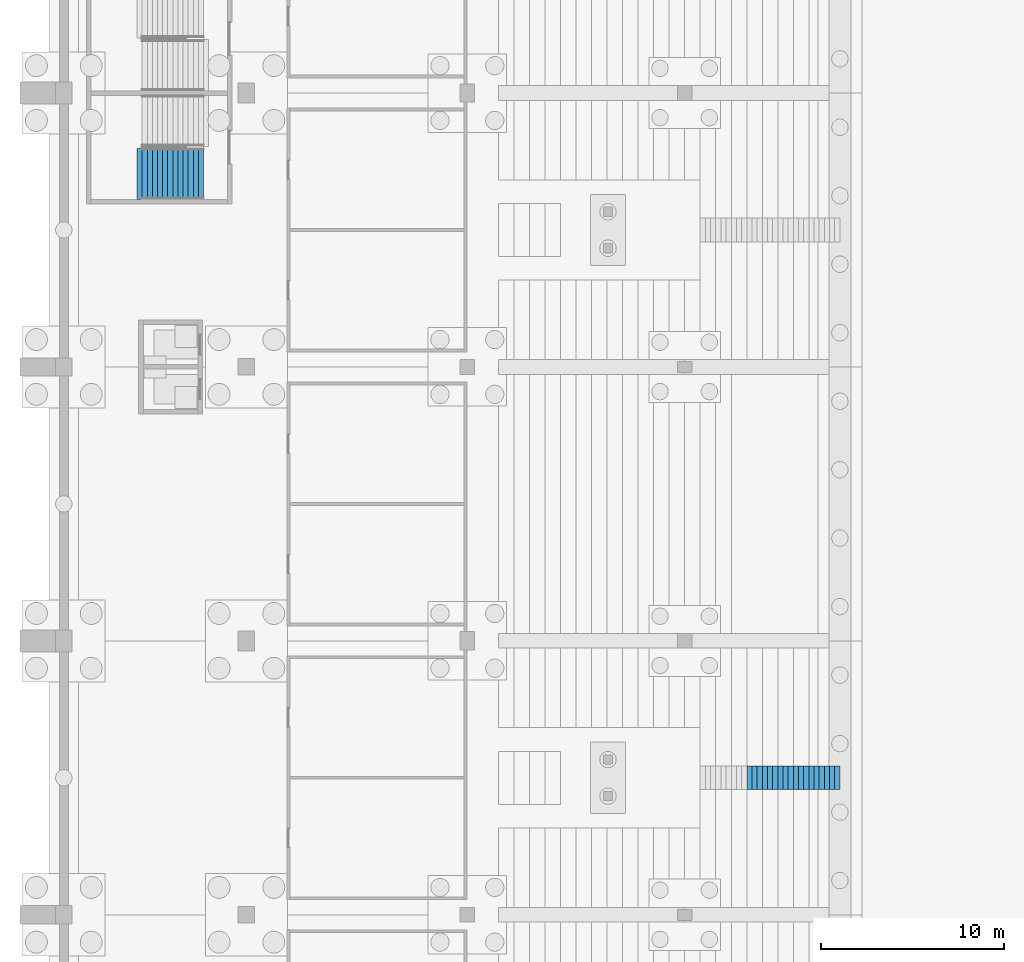
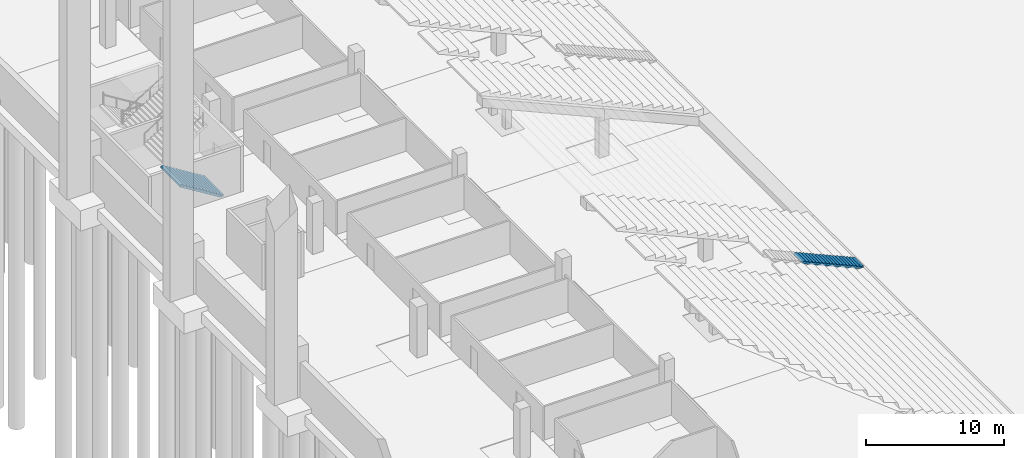
# One storey, part 76 of 115: 2 stair flights, 2 elements without a shape of their own.
"""IFC4 building model written with IfcOpenShell, lengths in metres."""

from ifc_helpers import new_model, si_unit, direction, frame, origin, place, context, subcontext, project, spatial, faceted_brep, material, type_object, element, aggregate, save


model = new_model("IFC4")

# Units and contexts
model_context = context("Model", 3, precision=1e-05, world=origin(), true_north=direction((0.0, 1.0)))
body_context = subcontext(model_context, "Body", "Model", "MODEL_VIEW")
ifc_project = project(units=[si_unit("LENGTHUNIT", "METRE"), si_unit("AREAUNIT", "SQUARE_METRE"), si_unit("VOLUMEUNIT", "CUBIC_METRE"), si_unit("PLANEANGLEUNIT", "RADIAN"), si_unit("MASSUNIT", "GRAM", prefix="KILO")], contexts=[model_context])

# Site, building, storey
site_placement = place(None, origin())
site = spatial("IfcSite", under=ifc_project, at=site_placement, CompositionType="ELEMENT")
building_placement = place(site_placement, origin())
building = spatial("IfcBuilding", under=site, at=building_placement, Name="Ogive Plaza Stadium", CompositionType="ELEMENT")
storey_placement = place(building_placement, frame((0.0, 0.0, -4.5)))
storey = spatial("IfcBuildingStorey", under=building, at=storey_placement, Name="B1", CompositionType="ELEMENT", Elevation=-4.5)

# Stair, stair flight
ifc_material_1 = material(Name="Concrete C40/50", Category="concrete")
stair_type_1 = type_object("IfcStairType", Name="Aisle stair", PredefinedType="STRAIGHT_RUN_STAIR", material=ifc_material_1)
stair_1_placement = place(storey_placement, origin())
stair_1 = element("IfcStair", 1, at=stair_1_placement, inside=storey, type_object=stair_type_1, Name="Aisle stair SA23D", PredefinedType="STRAIGHT_RUN_STAIR")
ifc_material_2 = material(Name="Concrete C40/50", Category="concrete")
stair_flight_type_1 = type_object("IfcStairFlightType", Name="Aisle stair flight", PredefinedType="STRAIGHT", material=ifc_material_2)
stair_flight_1_placement = place(storey_placement, frame((-41.5, -15.0, 1.125), z_axis=(0.0, 0.0, 1.0), x_axis=(-1.0, 0.0, 0.0)))
stair_flight_1 = element("IfcStairFlight", 2, at=stair_flight_1_placement, type_object=stair_flight_type_1, Name="SA23D flight 1", NumberOfRisers=18, NumberOfTreads=17, PredefinedType="STRAIGHT", RiserHeight=0.125, TreadLength=0.283333333, context=body_context, shape_type="Brep", body=[
    faceted_brep([(0.371337890625, -0.64990234375, 0.0), (5.10009765625, -0.64990234375, 2.086181640625), (5.10009765625, -0.64990234375, 2.25), (4.816650390625, -0.64990234375, 2.25), (4.816650390625, -0.64990234375, 2.125), (4.533447265625, -0.64990234375, 2.125), (4.533447265625, -0.64990234375, 2.0), (4.25, -0.64990234375, 2.0), (4.25, -0.64990234375, 1.875), (3.966552734375, -0.64990234375, 1.875), (3.966552734375, -0.64990234375, 1.75), (3.683349609375, -0.64990234375, 1.75), (3.683349609375, -0.64990234375, 1.625), (3.39990234375, -0.64990234375, 1.625), (3.39990234375, -0.64990234375, 1.5), (3.11669921875, -0.64990234375, 1.5), (3.11669921875, -0.64990234375, 1.375), (2.833251953125, -0.64990234375, 1.375), (2.833251953125, -0.64990234375, 1.25), (2.550048828125, -0.64990234375, 1.25), (2.550048828125, -0.64990234375, 1.125), (2.2666015625, -0.64990234375, 1.125), (2.2666015625, -0.64990234375, 1.0), (1.9833984375, -0.64990234375, 1.0), (1.9833984375, -0.64990234375, 0.875), (1.699951171875, -0.64990234375, 0.875), (1.699951171875, -0.64990234375, 0.75), (1.416748046875, -0.64990234375, 0.75), (1.416748046875, -0.64990234375, 0.625), (1.13330078125, -0.64990234375, 0.625), (1.13330078125, -0.64990234375, 0.5), (0.85009765625, -0.64990234375, 0.5), (0.85009765625, -0.64990234375, 0.375), (0.566650390625, -0.64990234375, 0.375), (0.566650390625, -0.64990234375, 0.25), (0.283447265625, -0.64990234375, 0.25), (0.283447265625, -0.64990234375, 0.125), (0.0, -0.64990234375, 0.125), (0.0, -0.64990234375, 0.0), (0.0, 0.64990234375, 0.0), (0.0, 0.64990234375, 0.125), (0.283447265625, 0.64990234375, 0.125), (0.283447265625, 0.64990234375, 0.25), (0.566650390625, 0.64990234375, 0.25), (0.566650390625, 0.64990234375, 0.375), (0.85009765625, 0.64990234375, 0.375), (0.85009765625, 0.64990234375, 0.5), (1.13330078125, 0.64990234375, 0.5), (1.13330078125, 0.64990234375, 0.625), (1.416748046875, 0.64990234375, 0.625), (1.416748046875, 0.64990234375, 0.75), (1.699951171875, 0.64990234375, 0.75), (1.699951171875, 0.64990234375, 0.875), (1.9833984375, 0.64990234375, 0.875), (1.9833984375, 0.64990234375, 1.0), (2.2666015625, 0.64990234375, 1.0), (2.2666015625, 0.64990234375, 1.125), (2.550048828125, 0.64990234375, 1.125), (2.550048828125, 0.64990234375, 1.25), (2.833251953125, 0.64990234375, 1.25), (2.833251953125, 0.64990234375, 1.375), (3.11669921875, 0.64990234375, 1.375), (3.11669921875, 0.64990234375, 1.5), (3.39990234375, 0.64990234375, 1.5), (3.39990234375, 0.64990234375, 1.625), (3.683349609375, 0.64990234375, 1.625), (3.683349609375, 0.64990234375, 1.75), (3.966552734375, 0.64990234375, 1.75), (3.966552734375, 0.64990234375, 1.875), (4.25, 0.64990234375, 1.875), (4.25, 0.64990234375, 2.0), (4.533447265625, 0.64990234375, 2.0), (4.533447265625, 0.64990234375, 2.125), (4.816650390625, 0.64990234375, 2.125), (4.816650390625, 0.64990234375, 2.25), (5.10009765625, 0.64990234375, 2.25), (5.10009765625, 0.64990234375, 2.086181640625), (0.371337890625, 0.64990234375, 0.0), (0.371337890625, -0.324951171875, 0.0), (5.10009765625, -0.324951171875, 2.086181640625), (0.371337890625, 0.0, 0.0), (5.10009765625, 0.0, 2.086181640625), (0.371337890625, 0.324951171875, 0.0), (5.10009765625, 0.324951171875, 2.086181640625), (5.10009765625, -0.324951171875, 2.25), (5.10009765625, 0.0, 2.25), (5.10009765625, 0.324951171875, 2.25), (4.816650390625, -0.324951171875, 2.25), (4.816650390625, 0.0, 2.25), (4.816650390625, 0.324951171875, 2.25), (4.816650390625, -0.324951171875, 2.125), (4.816650390625, 0.0, 2.125), (4.816650390625, 0.324951171875, 2.125), (4.533447265625, -0.324951171875, 2.125), (4.533447265625, 0.0, 2.125), (4.533447265625, 0.324951171875, 2.125), (4.533447265625, -0.324951171875, 2.0), (4.533447265625, 0.0, 2.0), (4.533447265625, 0.324951171875, 2.0), (4.25, -0.324951171875, 2.0), (4.25, 0.0, 2.0), (4.25, 0.324951171875, 2.0), (4.25, -0.324951171875, 1.875), (4.25, 0.0, 1.875), (4.25, 0.324951171875, 1.875), (3.966552734375, -0.324951171875, 1.875), (3.966552734375, 0.0, 1.875), (3.966552734375, 0.324951171875, 1.875), (3.966552734375, -0.324951171875, 1.75), (3.966552734375, 0.0, 1.75), (3.966552734375, 0.324951171875, 1.75), (3.683349609375, -0.324951171875, 1.75), (3.683349609375, 0.0, 1.75), (3.683349609375, 0.324951171875, 1.75), (3.683349609375, -0.324951171875, 1.625), (3.683349609375, 0.0, 1.625), (3.683349609375, 0.324951171875, 1.625), (3.39990234375, -0.324951171875, 1.625), (3.39990234375, 0.0, 1.625), (3.39990234375, 0.324951171875, 1.625), (3.39990234375, -0.324951171875, 1.5), (3.39990234375, 0.0, 1.5), (3.39990234375, 0.324951171875, 1.5), (3.11669921875, -0.324951171875, 1.5), (3.11669921875, 0.0, 1.5), (3.11669921875, 0.324951171875, 1.5), (3.11669921875, -0.324951171875, 1.375), (3.11669921875, 0.0, 1.375), (3.11669921875, 0.324951171875, 1.375), (2.833251953125, -0.324951171875, 1.375), (2.833251953125, 0.0, 1.375), (2.833251953125, 0.324951171875, 1.375), (2.833251953125, -0.324951171875, 1.25), (2.833251953125, 0.0, 1.25), (2.833251953125, 0.324951171875, 1.25), (2.550048828125, -0.324951171875, 1.25), (2.550048828125, 0.0, 1.25), (2.550048828125, 0.324951171875, 1.25), (2.550048828125, -0.324951171875, 1.125), (2.550048828125, 0.0, 1.125), (2.550048828125, 0.324951171875, 1.125), (2.2666015625, -0.324951171875, 1.125), (2.2666015625, 0.0, 1.125), (2.2666015625, 0.324951171875, 1.125), (2.2666015625, -0.324951171875, 1.0), (2.2666015625, 0.0, 1.0), (2.2666015625, 0.324951171875, 1.0), (1.9833984375, -0.324951171875, 1.0), (1.9833984375, 0.0, 1.0), (1.9833984375, 0.324951171875, 1.0), (1.9833984375, -0.324951171875, 0.875), (1.9833984375, 0.0, 0.875), (1.9833984375, 0.324951171875, 0.875), (1.699951171875, -0.324951171875, 0.875), (1.699951171875, 0.0, 0.875), (1.699951171875, 0.324951171875, 0.875), (1.699951171875, -0.324951171875, 0.75), (1.699951171875, 0.0, 0.75), (1.699951171875, 0.324951171875, 0.75), (1.416748046875, -0.324951171875, 0.75), (1.416748046875, 0.0, 0.75), (1.416748046875, 0.324951171875, 0.75), (1.416748046875, -0.324951171875, 0.625), (1.416748046875, 0.0, 0.625), (1.416748046875, 0.324951171875, 0.625), (1.13330078125, -0.324951171875, 0.625), (1.13330078125, 0.0, 0.625), (1.13330078125, 0.324951171875, 0.625), (1.13330078125, -0.324951171875, 0.5), (1.13330078125, 0.0, 0.5), (1.13330078125, 0.324951171875, 0.5), (0.85009765625, -0.324951171875, 0.5), (0.85009765625, 0.0, 0.5), (0.85009765625, 0.324951171875, 0.5), (0.85009765625, -0.324951171875, 0.375), (0.85009765625, 0.0, 0.375), (0.85009765625, 0.324951171875, 0.375), (0.566650390625, -0.324951171875, 0.375), (0.566650390625, 0.0, 0.375), (0.566650390625, 0.324951171875, 0.375), (0.566650390625, -0.324951171875, 0.25), (0.566650390625, 0.0, 0.25), (0.566650390625, 0.324951171875, 0.25), (0.283447265625, -0.324951171875, 0.25), (0.283447265625, 0.0, 0.25), (0.283447265625, 0.324951171875, 0.25), (0.283447265625, -0.324951171875, 0.125), (0.283447265625, 0.0, 0.125), (0.283447265625, 0.324951171875, 0.125), (0.0, -0.324951171875, 0.125), (0.0, 0.0, 0.125), (0.0, 0.324951171875, 0.125), (0.0, -0.324951171875, 0.0), (0.0, 0.0, 0.0), (0.0, 0.324951171875, 0.0)], [[[0, 1, 2, 3, 4, 5, 6, 7, 8, 9, 10, 11, 12, 13, 14, 15, 16, 17, 18, 19, 20, 21, 22, 23, 24, 25, 26, 27, 28, 29, 30, 31, 32, 33, 34, 35, 36, 37, 38]], [[39, 40, 41, 42, 43, 44, 45, 46, 47, 48, 49, 50, 51, 52, 53, 54, 55, 56, 57, 58, 59, 60, 61, 62, 63, 64, 65, 66, 67, 68, 69, 70, 71, 72, 73, 74, 75, 76, 77]], [[0, 78, 79, 1]], [[78, 80, 81, 79]], [[80, 82, 83, 81]], [[82, 77, 76, 83]], [[1, 79, 84, 2]], [[79, 81, 85, 84]], [[81, 83, 86, 85]], [[83, 76, 75, 86]], [[2, 84, 87, 3]], [[84, 85, 88, 87]], [[85, 86, 89, 88]], [[86, 75, 74, 89]], [[3, 87, 90, 4]], [[87, 88, 91, 90]], [[88, 89, 92, 91]], [[89, 74, 73, 92]], [[4, 90, 93, 5]], [[90, 91, 94, 93]], [[91, 92, 95, 94]], [[92, 73, 72, 95]], [[5, 93, 96, 6]], [[93, 94, 97, 96]], [[94, 95, 98, 97]], [[95, 72, 71, 98]], [[6, 96, 99, 7]], [[96, 97, 100, 99]], [[97, 98, 101, 100]], [[98, 71, 70, 101]], [[7, 99, 102, 8]], [[99, 100, 103, 102]], [[100, 101, 104, 103]], [[101, 70, 69, 104]], [[8, 102, 105, 9]], [[102, 103, 106, 105]], [[103, 104, 107, 106]], [[104, 69, 68, 107]], [[9, 105, 108, 10]], [[105, 106, 109, 108]], [[106, 107, 110, 109]], [[107, 68, 67, 110]], [[10, 108, 111, 11]], [[108, 109, 112, 111]], [[109, 110, 113, 112]], [[110, 67, 66, 113]], [[11, 111, 114, 12]], [[111, 112, 115, 114]], [[112, 113, 116, 115]], [[113, 66, 65, 116]], [[12, 114, 117, 13]], [[114, 115, 118, 117]], [[115, 116, 119, 118]], [[116, 65, 64, 119]], [[13, 117, 120, 14]], [[117, 118, 121, 120]], [[118, 119, 122, 121]], [[119, 64, 63, 122]], [[14, 120, 123, 15]], [[120, 121, 124, 123]], [[121, 122, 125, 124]], [[122, 63, 62, 125]], [[15, 123, 126, 16]], [[123, 124, 127, 126]], [[124, 125, 128, 127]], [[125, 62, 61, 128]], [[16, 126, 129, 17]], [[126, 127, 130, 129]], [[127, 128, 131, 130]], [[128, 61, 60, 131]], [[17, 129, 132, 18]], [[129, 130, 133, 132]], [[130, 131, 134, 133]], [[131, 60, 59, 134]], [[18, 132, 135, 19]], [[132, 133, 136, 135]], [[133, 134, 137, 136]], [[134, 59, 58, 137]], [[19, 135, 138, 20]], [[135, 136, 139, 138]], [[136, 137, 140, 139]], [[137, 58, 57, 140]], [[20, 138, 141, 21]], [[138, 139, 142, 141]], [[139, 140, 143, 142]], [[140, 57, 56, 143]], [[21, 141, 144, 22]], [[141, 142, 145, 144]], [[142, 143, 146, 145]], [[143, 56, 55, 146]], [[22, 144, 147, 23]], [[144, 145, 148, 147]], [[145, 146, 149, 148]], [[146, 55, 54, 149]], [[23, 147, 150, 24]], [[147, 148, 151, 150]], [[148, 149, 152, 151]], [[149, 54, 53, 152]], [[24, 150, 153, 25]], [[150, 151, 154, 153]], [[151, 152, 155, 154]], [[152, 53, 52, 155]], [[25, 153, 156, 26]], [[153, 154, 157, 156]], [[154, 155, 158, 157]], [[155, 52, 51, 158]], [[26, 156, 159, 27]], [[156, 157, 160, 159]], [[157, 158, 161, 160]], [[158, 51, 50, 161]], [[27, 159, 162, 28]], [[159, 160, 163, 162]], [[160, 161, 164, 163]], [[161, 50, 49, 164]], [[28, 162, 165, 29]], [[162, 163, 166, 165]], [[163, 164, 167, 166]], [[164, 49, 48, 167]], [[29, 165, 168, 30]], [[165, 166, 169, 168]], [[166, 167, 170, 169]], [[167, 48, 47, 170]], [[30, 168, 171, 31]], [[168, 169, 172, 171]], [[169, 170, 173, 172]], [[170, 47, 46, 173]], [[31, 171, 174, 32]], [[171, 172, 175, 174]], [[172, 173, 176, 175]], [[173, 46, 45, 176]], [[32, 174, 177, 33]], [[174, 175, 178, 177]], [[175, 176, 179, 178]], [[176, 45, 44, 179]], [[33, 177, 180, 34]], [[177, 178, 181, 180]], [[178, 179, 182, 181]], [[179, 44, 43, 182]], [[34, 180, 183, 35]], [[180, 181, 184, 183]], [[181, 182, 185, 184]], [[182, 43, 42, 185]], [[35, 183, 186, 36]], [[183, 184, 187, 186]], [[184, 185, 188, 187]], [[185, 42, 41, 188]], [[36, 186, 189, 37]], [[186, 187, 190, 189]], [[187, 188, 191, 190]], [[188, 41, 40, 191]], [[37, 189, 192, 38]], [[189, 190, 193, 192]], [[190, 191, 194, 193]], [[191, 40, 39, 194]], [[38, 192, 78, 0]], [[192, 193, 80, 78]], [[193, 194, 82, 80]], [[194, 39, 77, 82]]]),
])
aggregate(stair_1, [stair_flight_1])

ifc_material_3 = material(Name="Concrete C40/50", Category="concrete")
stair_type_2 = type_object("IfcStairType", Name="Exit stair", PredefinedType="STRAIGHT_RUN_STAIR", material=ifc_material_3)
stair_2_placement = place(storey_placement, origin())
stair_2 = element("IfcStair", 3, at=stair_2_placement, inside=storey, type_object=stair_type_2, Name="Exit stair ST26B B1 to L00", PredefinedType="STRAIGHT_RUN_STAIR")
ifc_material_4 = material(Name="Concrete C40/50", Category="concrete")
stair_flight_type_2 = type_object("IfcStairFlightType", Name="Exit stair flight", PredefinedType="STRAIGHT", material=ifc_material_4)
stair_flight_2_placement = place(storey_placement, frame((-76.35009765625, 18.074951171875, 0.0), z_axis=(0.0, 0.0, 1.0), x_axis=(-1.0, 0.0, 0.0)))
stair_flight_2 = element("IfcStairFlight", 4, at=stair_flight_2_placement, type_object=stair_flight_type_2, Name="ST26B flight 1", NumberOfRisers=13, NumberOfTreads=12, PredefinedType="STRAIGHT", RiserHeight=0.173076923, TreadLength=0.28, context=body_context, shape_type="Brep", body=[
    faceted_brep([(0.28515625, -1.39990234375, 0.0), (3.639892578125, -1.39990234375, 2.07373046875), (3.639892578125, -1.39990234375, 2.25), (3.360107421875, -1.39990234375, 2.25), (3.360107421875, -1.39990234375, 2.076904296875), (3.080078125, -1.39990234375, 2.076904296875), (3.080078125, -1.39990234375, 1.90380859375), (2.800048828125, -1.39990234375, 1.90380859375), (2.800048828125, -1.39990234375, 1.730712890625), (2.52001953125, -1.39990234375, 1.730712890625), (2.52001953125, -1.39990234375, 1.5576171875), (2.239990234375, -1.39990234375, 1.5576171875), (2.239990234375, -1.39990234375, 1.384521484375), (1.9599609375, -1.39990234375, 1.384521484375), (1.9599609375, -1.39990234375, 1.21142578125), (1.679931640625, -1.39990234375, 1.21142578125), (1.679931640625, -1.39990234375, 1.03857421875), (1.39990234375, -1.39990234375, 1.03857421875), (1.39990234375, -1.39990234375, 0.865478515625), (1.1201171875, -1.39990234375, 0.865478515625), (1.1201171875, -1.39990234375, 0.6923828125), (0.840087890625, -1.39990234375, 0.6923828125), (0.840087890625, -1.39990234375, 0.519287109375), (0.56005859375, -1.39990234375, 0.519287109375), (0.56005859375, -1.39990234375, 0.34619140625), (0.280029296875, -1.39990234375, 0.34619140625), (0.280029296875, -1.39990234375, 0.173095703125), (0.0, -1.39990234375, 0.173095703125), (0.0, -1.39990234375, 0.0), (0.0, 1.39990234375, 0.0), (0.0, 1.39990234375, 0.173095703125), (0.280029296875, 1.39990234375, 0.173095703125), (0.280029296875, 1.39990234375, 0.34619140625), (0.56005859375, 1.39990234375, 0.34619140625), (0.56005859375, 1.39990234375, 0.519287109375), (0.840087890625, 1.39990234375, 0.519287109375), (0.840087890625, 1.39990234375, 0.6923828125), (1.1201171875, 1.39990234375, 0.6923828125), (1.1201171875, 1.39990234375, 0.865478515625), (1.39990234375, 1.39990234375, 0.865478515625), (1.39990234375, 1.39990234375, 1.03857421875), (1.679931640625, 1.39990234375, 1.03857421875), (1.679931640625, 1.39990234375, 1.21142578125), (1.9599609375, 1.39990234375, 1.21142578125), (1.9599609375, 1.39990234375, 1.384521484375), (2.239990234375, 1.39990234375, 1.384521484375), (2.239990234375, 1.39990234375, 1.5576171875), (2.52001953125, 1.39990234375, 1.5576171875), (2.52001953125, 1.39990234375, 1.730712890625), (2.800048828125, 1.39990234375, 1.730712890625), (2.800048828125, 1.39990234375, 1.90380859375), (3.080078125, 1.39990234375, 1.90380859375), (3.080078125, 1.39990234375, 2.076904296875), (3.360107421875, 1.39990234375, 2.076904296875), (3.360107421875, 1.39990234375, 2.25), (3.639892578125, 1.39990234375, 2.25), (3.639892578125, 1.39990234375, 2.07373046875), (0.28515625, 1.39990234375, 0.0), (0.28515625, -1.0888671875, 0.0), (3.639892578125, -1.0888671875, 2.07373046875), (0.28515625, -0.77783203125, 0.0), (3.639892578125, -0.77783203125, 2.07373046875), (0.28515625, -0.466796875, 0.0), (3.639892578125, -0.466796875, 2.07373046875), (0.28515625, -0.155517578125, 0.0), (3.639892578125, -0.155517578125, 2.07373046875), (0.28515625, 0.155517578125, 0.0), (3.639892578125, 0.155517578125, 2.07373046875), (0.28515625, 0.466796875, 0.0), (3.639892578125, 0.466796875, 2.07373046875), (0.28515625, 0.77783203125, 0.0), (3.639892578125, 0.77783203125, 2.07373046875), (0.28515625, 1.0888671875, 0.0), (3.639892578125, 1.0888671875, 2.07373046875), (3.639892578125, -1.0888671875, 2.25), (3.639892578125, -0.77783203125, 2.25), (3.639892578125, -0.466796875, 2.25), (3.639892578125, -0.155517578125, 2.25), (3.639892578125, 0.155517578125, 2.25), (3.639892578125, 0.466796875, 2.25), (3.639892578125, 0.77783203125, 2.25), (3.639892578125, 1.0888671875, 2.25), (3.360107421875, -1.0888671875, 2.25), (3.360107421875, -0.77783203125, 2.25), (3.360107421875, -0.466796875, 2.25), (3.360107421875, -0.155517578125, 2.25), (3.360107421875, 0.155517578125, 2.25), (3.360107421875, 0.466796875, 2.25), (3.360107421875, 0.77783203125, 2.25), (3.360107421875, 1.0888671875, 2.25), (3.360107421875, -1.0888671875, 2.076904296875), (3.360107421875, -0.77783203125, 2.076904296875), (3.360107421875, -0.466796875, 2.076904296875), (3.360107421875, -0.155517578125, 2.076904296875), (3.360107421875, 0.155517578125, 2.076904296875), (3.360107421875, 0.466796875, 2.076904296875), (3.360107421875, 0.77783203125, 2.076904296875), (3.360107421875, 1.0888671875, 2.076904296875), (3.080078125, -1.0888671875, 2.076904296875), (3.080078125, -0.77783203125, 2.076904296875), (3.080078125, -0.466796875, 2.076904296875), (3.080078125, -0.155517578125, 2.076904296875), (3.080078125, 0.155517578125, 2.076904296875), (3.080078125, 0.466796875, 2.076904296875), (3.080078125, 0.77783203125, 2.076904296875), (3.080078125, 1.0888671875, 2.076904296875), (3.080078125, -1.0888671875, 1.90380859375), (3.080078125, -0.77783203125, 1.90380859375), (3.080078125, -0.466796875, 1.90380859375), (3.080078125, -0.155517578125, 1.90380859375), (3.080078125, 0.155517578125, 1.90380859375), (3.080078125, 0.466796875, 1.90380859375), (3.080078125, 0.77783203125, 1.90380859375), (3.080078125, 1.0888671875, 1.90380859375), (2.800048828125, -1.0888671875, 1.90380859375), (2.800048828125, -0.77783203125, 1.90380859375), (2.800048828125, -0.466796875, 1.90380859375), (2.800048828125, -0.155517578125, 1.90380859375), (2.800048828125, 0.155517578125, 1.90380859375), (2.800048828125, 0.466796875, 1.90380859375), (2.800048828125, 0.77783203125, 1.90380859375), (2.800048828125, 1.0888671875, 1.90380859375), (2.800048828125, -1.0888671875, 1.730712890625), (2.800048828125, -0.77783203125, 1.730712890625), (2.800048828125, -0.466796875, 1.730712890625), (2.800048828125, -0.155517578125, 1.730712890625), (2.800048828125, 0.155517578125, 1.730712890625), (2.800048828125, 0.466796875, 1.730712890625), (2.800048828125, 0.77783203125, 1.730712890625), (2.800048828125, 1.0888671875, 1.730712890625), (2.52001953125, -1.0888671875, 1.730712890625), (2.52001953125, -0.77783203125, 1.730712890625), (2.52001953125, -0.466796875, 1.730712890625), (2.52001953125, -0.155517578125, 1.730712890625), (2.52001953125, 0.155517578125, 1.730712890625), (2.52001953125, 0.466796875, 1.730712890625), (2.52001953125, 0.77783203125, 1.730712890625), (2.52001953125, 1.0888671875, 1.730712890625), (2.52001953125, -1.0888671875, 1.5576171875), (2.52001953125, -0.77783203125, 1.5576171875), (2.52001953125, -0.466796875, 1.5576171875), (2.52001953125, -0.155517578125, 1.5576171875), (2.52001953125, 0.155517578125, 1.5576171875), (2.52001953125, 0.466796875, 1.5576171875), (2.52001953125, 0.77783203125, 1.5576171875), (2.52001953125, 1.0888671875, 1.5576171875), (2.239990234375, -1.0888671875, 1.5576171875), (2.239990234375, -0.77783203125, 1.5576171875), (2.239990234375, -0.466796875, 1.5576171875), (2.239990234375, -0.155517578125, 1.5576171875), (2.239990234375, 0.155517578125, 1.5576171875), (2.239990234375, 0.466796875, 1.5576171875), (2.239990234375, 0.77783203125, 1.5576171875), (2.239990234375, 1.0888671875, 1.5576171875), (2.239990234375, -1.0888671875, 1.384521484375), (2.239990234375, -0.77783203125, 1.384521484375), (2.239990234375, -0.466796875, 1.384521484375), (2.239990234375, -0.155517578125, 1.384521484375), (2.239990234375, 0.155517578125, 1.384521484375), (2.239990234375, 0.466796875, 1.384521484375), (2.239990234375, 0.77783203125, 1.384521484375), (2.239990234375, 1.0888671875, 1.384521484375), (1.9599609375, -1.0888671875, 1.384521484375), (1.9599609375, -0.77783203125, 1.384521484375), (1.9599609375, -0.466796875, 1.384521484375), (1.9599609375, -0.155517578125, 1.384521484375), (1.9599609375, 0.155517578125, 1.384521484375), (1.9599609375, 0.466796875, 1.384521484375), (1.9599609375, 0.77783203125, 1.384521484375), (1.9599609375, 1.0888671875, 1.384521484375), (1.9599609375, -1.0888671875, 1.21142578125), (1.9599609375, -0.77783203125, 1.21142578125), (1.9599609375, -0.466796875, 1.21142578125), (1.9599609375, -0.155517578125, 1.21142578125), (1.9599609375, 0.155517578125, 1.21142578125), (1.9599609375, 0.466796875, 1.21142578125), (1.9599609375, 0.77783203125, 1.21142578125), (1.9599609375, 1.0888671875, 1.21142578125), (1.679931640625, -1.0888671875, 1.21142578125), (1.679931640625, -0.77783203125, 1.21142578125), (1.679931640625, -0.466796875, 1.21142578125), (1.679931640625, -0.155517578125, 1.21142578125), (1.679931640625, 0.155517578125, 1.21142578125), (1.679931640625, 0.466796875, 1.21142578125), (1.679931640625, 0.77783203125, 1.21142578125), (1.679931640625, 1.0888671875, 1.21142578125), (1.679931640625, -1.0888671875, 1.03857421875), (1.679931640625, -0.77783203125, 1.03857421875), (1.679931640625, -0.466796875, 1.03857421875), (1.679931640625, -0.155517578125, 1.03857421875), (1.679931640625, 0.155517578125, 1.03857421875), (1.679931640625, 0.466796875, 1.03857421875), (1.679931640625, 0.77783203125, 1.03857421875), (1.679931640625, 1.0888671875, 1.03857421875), (1.39990234375, -1.0888671875, 1.03857421875), (1.39990234375, -0.77783203125, 1.03857421875), (1.39990234375, -0.466796875, 1.03857421875), (1.39990234375, -0.155517578125, 1.03857421875), (1.39990234375, 0.155517578125, 1.03857421875), (1.39990234375, 0.466796875, 1.03857421875), (1.39990234375, 0.77783203125, 1.03857421875), (1.39990234375, 1.0888671875, 1.03857421875), (1.39990234375, -1.0888671875, 0.865478515625), (1.39990234375, -0.77783203125, 0.865478515625), (1.39990234375, -0.466796875, 0.865478515625), (1.39990234375, -0.155517578125, 0.865478515625), (1.39990234375, 0.155517578125, 0.865478515625), (1.39990234375, 0.466796875, 0.865478515625), (1.39990234375, 0.77783203125, 0.865478515625), (1.39990234375, 1.0888671875, 0.865478515625), (1.1201171875, -1.0888671875, 0.865478515625), (1.1201171875, -0.77783203125, 0.865478515625), (1.1201171875, -0.466796875, 0.865478515625), (1.1201171875, -0.155517578125, 0.865478515625), (1.1201171875, 0.155517578125, 0.865478515625), (1.1201171875, 0.466796875, 0.865478515625), (1.1201171875, 0.77783203125, 0.865478515625), (1.1201171875, 1.0888671875, 0.865478515625), (1.1201171875, -1.0888671875, 0.6923828125), (1.1201171875, -0.77783203125, 0.6923828125), (1.1201171875, -0.466796875, 0.6923828125), (1.1201171875, -0.155517578125, 0.6923828125), (1.1201171875, 0.155517578125, 0.6923828125), (1.1201171875, 0.466796875, 0.6923828125), (1.1201171875, 0.77783203125, 0.6923828125), (1.1201171875, 1.0888671875, 0.6923828125), (0.840087890625, -1.0888671875, 0.6923828125), (0.840087890625, -0.77783203125, 0.6923828125), (0.840087890625, -0.466796875, 0.6923828125), (0.840087890625, -0.155517578125, 0.6923828125), (0.840087890625, 0.155517578125, 0.6923828125), (0.840087890625, 0.466796875, 0.6923828125), (0.840087890625, 0.77783203125, 0.6923828125), (0.840087890625, 1.0888671875, 0.6923828125), (0.840087890625, -1.0888671875, 0.519287109375), (0.840087890625, -0.77783203125, 0.519287109375), (0.840087890625, -0.466796875, 0.519287109375), (0.840087890625, -0.155517578125, 0.519287109375), (0.840087890625, 0.155517578125, 0.519287109375), (0.840087890625, 0.466796875, 0.519287109375), (0.840087890625, 0.77783203125, 0.519287109375), (0.840087890625, 1.0888671875, 0.519287109375), (0.56005859375, -1.0888671875, 0.519287109375), (0.56005859375, -0.77783203125, 0.519287109375), (0.56005859375, -0.466796875, 0.519287109375), (0.56005859375, -0.155517578125, 0.519287109375), (0.56005859375, 0.155517578125, 0.519287109375), (0.56005859375, 0.466796875, 0.519287109375), (0.56005859375, 0.77783203125, 0.519287109375), (0.56005859375, 1.0888671875, 0.519287109375), (0.56005859375, -1.0888671875, 0.34619140625), (0.56005859375, -0.77783203125, 0.34619140625), (0.56005859375, -0.466796875, 0.34619140625), (0.56005859375, -0.155517578125, 0.34619140625), (0.56005859375, 0.155517578125, 0.34619140625), (0.56005859375, 0.466796875, 0.34619140625), (0.56005859375, 0.77783203125, 0.34619140625), (0.56005859375, 1.0888671875, 0.34619140625), (0.280029296875, -1.0888671875, 0.34619140625), (0.280029296875, -0.77783203125, 0.34619140625), (0.280029296875, -0.466796875, 0.34619140625), (0.280029296875, -0.155517578125, 0.34619140625), (0.280029296875, 0.155517578125, 0.34619140625), (0.280029296875, 0.466796875, 0.34619140625), (0.280029296875, 0.77783203125, 0.34619140625), (0.280029296875, 1.0888671875, 0.34619140625), (0.280029296875, -1.0888671875, 0.173095703125), (0.280029296875, -0.77783203125, 0.173095703125), (0.280029296875, -0.466796875, 0.173095703125), (0.280029296875, -0.155517578125, 0.173095703125), (0.280029296875, 0.155517578125, 0.173095703125), (0.280029296875, 0.466796875, 0.173095703125), (0.280029296875, 0.77783203125, 0.173095703125), (0.280029296875, 1.0888671875, 0.173095703125), (0.0, -1.0888671875, 0.173095703125), (0.0, -0.77783203125, 0.173095703125), (0.0, -0.466796875, 0.173095703125), (0.0, -0.155517578125, 0.173095703125), (0.0, 0.155517578125, 0.173095703125), (0.0, 0.466796875, 0.173095703125), (0.0, 0.77783203125, 0.173095703125), (0.0, 1.0888671875, 0.173095703125), (0.0, -1.0888671875, 0.0), (0.0, -0.77783203125, 0.0), (0.0, -0.466796875, 0.0), (0.0, -0.155517578125, 0.0), (0.0, 0.155517578125, 0.0), (0.0, 0.466796875, 0.0), (0.0, 0.77783203125, 0.0), (0.0, 1.0888671875, 0.0)], [[[0, 1, 2, 3, 4, 5, 6, 7, 8, 9, 10, 11, 12, 13, 14, 15, 16, 17, 18, 19, 20, 21, 22, 23, 24, 25, 26, 27, 28]], [[29, 30, 31, 32, 33, 34, 35, 36, 37, 38, 39, 40, 41, 42, 43, 44, 45, 46, 47, 48, 49, 50, 51, 52, 53, 54, 55, 56, 57]], [[0, 58, 59, 1]], [[58, 60, 61, 59]], [[60, 62, 63, 61]], [[62, 64, 65, 63]], [[64, 66, 67, 65]], [[66, 68, 69, 67]], [[68, 70, 71, 69]], [[70, 72, 73, 71]], [[72, 57, 56, 73]], [[1, 59, 74, 2]], [[59, 61, 75, 74]], [[61, 63, 76, 75]], [[63, 65, 77, 76]], [[65, 67, 78, 77]], [[67, 69, 79, 78]], [[69, 71, 80, 79]], [[71, 73, 81, 80]], [[73, 56, 55, 81]], [[2, 74, 82, 3]], [[74, 75, 83, 82]], [[75, 76, 84, 83]], [[76, 77, 85, 84]], [[77, 78, 86, 85]], [[78, 79, 87, 86]], [[79, 80, 88, 87]], [[80, 81, 89, 88]], [[81, 55, 54, 89]], [[3, 82, 90, 4]], [[82, 83, 91, 90]], [[83, 84, 92, 91]], [[84, 85, 93, 92]], [[85, 86, 94, 93]], [[86, 87, 95, 94]], [[87, 88, 96, 95]], [[88, 89, 97, 96]], [[89, 54, 53, 97]], [[4, 90, 98, 5]], [[90, 91, 99, 98]], [[91, 92, 100, 99]], [[92, 93, 101, 100]], [[93, 94, 102, 101]], [[94, 95, 103, 102]], [[95, 96, 104, 103]], [[96, 97, 105, 104]], [[97, 53, 52, 105]], [[5, 98, 106, 6]], [[98, 99, 107, 106]], [[99, 100, 108, 107]], [[100, 101, 109, 108]], [[101, 102, 110, 109]], [[102, 103, 111, 110]], [[103, 104, 112, 111]], [[104, 105, 113, 112]], [[105, 52, 51, 113]], [[6, 106, 114, 7]], [[106, 107, 115, 114]], [[107, 108, 116, 115]], [[108, 109, 117, 116]], [[109, 110, 118, 117]], [[110, 111, 119, 118]], [[111, 112, 120, 119]], [[112, 113, 121, 120]], [[113, 51, 50, 121]], [[7, 114, 122, 8]], [[114, 115, 123, 122]], [[115, 116, 124, 123]], [[116, 117, 125, 124]], [[117, 118, 126, 125]], [[118, 119, 127, 126]], [[119, 120, 128, 127]], [[120, 121, 129, 128]], [[121, 50, 49, 129]], [[8, 122, 130, 9]], [[122, 123, 131, 130]], [[123, 124, 132, 131]], [[124, 125, 133, 132]], [[125, 126, 134, 133]], [[126, 127, 135, 134]], [[127, 128, 136, 135]], [[128, 129, 137, 136]], [[129, 49, 48, 137]], [[9, 130, 138, 10]], [[130, 131, 139, 138]], [[131, 132, 140, 139]], [[132, 133, 141, 140]], [[133, 134, 142, 141]], [[134, 135, 143, 142]], [[135, 136, 144, 143]], [[136, 137, 145, 144]], [[137, 48, 47, 145]], [[10, 138, 146, 11]], [[138, 139, 147, 146]], [[139, 140, 148, 147]], [[140, 141, 149, 148]], [[141, 142, 150, 149]], [[142, 143, 151, 150]], [[143, 144, 152, 151]], [[144, 145, 153, 152]], [[145, 47, 46, 153]], [[11, 146, 154, 12]], [[146, 147, 155, 154]], [[147, 148, 156, 155]], [[148, 149, 157, 156]], [[149, 150, 158, 157]], [[150, 151, 159, 158]], [[151, 152, 160, 159]], [[152, 153, 161, 160]], [[153, 46, 45, 161]], [[12, 154, 162, 13]], [[154, 155, 163, 162]], [[155, 156, 164, 163]], [[156, 157, 165, 164]], [[157, 158, 166, 165]], [[158, 159, 167, 166]], [[159, 160, 168, 167]], [[160, 161, 169, 168]], [[161, 45, 44, 169]], [[13, 162, 170, 14]], [[162, 163, 171, 170]], [[163, 164, 172, 171]], [[164, 165, 173, 172]], [[165, 166, 174, 173]], [[166, 167, 175, 174]], [[167, 168, 176, 175]], [[168, 169, 177, 176]], [[169, 44, 43, 177]], [[14, 170, 178, 15]], [[170, 171, 179, 178]], [[171, 172, 180, 179]], [[172, 173, 181, 180]], [[173, 174, 182, 181]], [[174, 175, 183, 182]], [[175, 176, 184, 183]], [[176, 177, 185, 184]], [[177, 43, 42, 185]], [[15, 178, 186, 16]], [[178, 179, 187, 186]], [[179, 180, 188, 187]], [[180, 181, 189, 188]], [[181, 182, 190, 189]], [[182, 183, 191, 190]], [[183, 184, 192, 191]], [[184, 185, 193, 192]], [[185, 42, 41, 193]], [[16, 186, 194, 17]], [[186, 187, 195, 194]], [[187, 188, 196, 195]], [[188, 189, 197, 196]], [[189, 190, 198, 197]], [[190, 191, 199, 198]], [[191, 192, 200, 199]], [[192, 193, 201, 200]], [[193, 41, 40, 201]], [[17, 194, 202, 18]], [[194, 195, 203, 202]], [[195, 196, 204, 203]], [[196, 197, 205, 204]], [[197, 198, 206, 205]], [[198, 199, 207, 206]], [[199, 200, 208, 207]], [[200, 201, 209, 208]], [[201, 40, 39, 209]], [[18, 202, 210, 19]], [[202, 203, 211, 210]], [[203, 204, 212, 211]], [[204, 205, 213, 212]], [[205, 206, 214, 213]], [[206, 207, 215, 214]], [[207, 208, 216, 215]], [[208, 209, 217, 216]], [[209, 39, 38, 217]], [[19, 210, 218, 20]], [[210, 211, 219, 218]], [[211, 212, 220, 219]], [[212, 213, 221, 220]], [[213, 214, 222, 221]], [[214, 215, 223, 222]], [[215, 216, 224, 223]], [[216, 217, 225, 224]], [[217, 38, 37, 225]], [[20, 218, 226, 21]], [[218, 219, 227, 226]], [[219, 220, 228, 227]], [[220, 221, 229, 228]], [[221, 222, 230, 229]], [[222, 223, 231, 230]], [[223, 224, 232, 231]], [[224, 225, 233, 232]], [[225, 37, 36, 233]], [[21, 226, 234, 22]], [[226, 227, 235, 234]], [[227, 228, 236, 235]], [[228, 229, 237, 236]], [[229, 230, 238, 237]], [[230, 231, 239, 238]], [[231, 232, 240, 239]], [[232, 233, 241, 240]], [[233, 36, 35, 241]], [[22, 234, 242, 23]], [[234, 235, 243, 242]], [[235, 236, 244, 243]], [[236, 237, 245, 244]], [[237, 238, 246, 245]], [[238, 239, 247, 246]], [[239, 240, 248, 247]], [[240, 241, 249, 248]], [[241, 35, 34, 249]], [[23, 242, 250, 24]], [[242, 243, 251, 250]], [[243, 244, 252, 251]], [[244, 245, 253, 252]], [[245, 246, 254, 253]], [[246, 247, 255, 254]], [[247, 248, 256, 255]], [[248, 249, 257, 256]], [[249, 34, 33, 257]], [[24, 250, 258, 25]], [[250, 251, 259, 258]], [[251, 252, 260, 259]], [[252, 253, 261, 260]], [[253, 254, 262, 261]], [[254, 255, 263, 262]], [[255, 256, 264, 263]], [[256, 257, 265, 264]], [[257, 33, 32, 265]], [[25, 258, 266, 26]], [[258, 259, 267, 266]], [[259, 260, 268, 267]], [[260, 261, 269, 268]], [[261, 262, 270, 269]], [[262, 263, 271, 270]], [[263, 264, 272, 271]], [[264, 265, 273, 272]], [[265, 32, 31, 273]], [[26, 266, 274, 27]], [[266, 267, 275, 274]], [[267, 268, 276, 275]], [[268, 269, 277, 276]], [[269, 270, 278, 277]], [[270, 271, 279, 278]], [[271, 272, 280, 279]], [[272, 273, 281, 280]], [[273, 31, 30, 281]], [[27, 274, 282, 28]], [[274, 275, 283, 282]], [[275, 276, 284, 283]], [[276, 277, 285, 284]], [[277, 278, 286, 285]], [[278, 279, 287, 286]], [[279, 280, 288, 287]], [[280, 281, 289, 288]], [[281, 30, 29, 289]], [[28, 282, 58, 0]], [[282, 283, 60, 58]], [[283, 284, 62, 60]], [[284, 285, 64, 62]], [[285, 286, 66, 64]], [[286, 287, 68, 66]], [[287, 288, 70, 68]], [[288, 289, 72, 70]], [[289, 29, 57, 72]]]),
])
aggregate(stair_2, [stair_flight_2])

save(model, "model.ifc")
